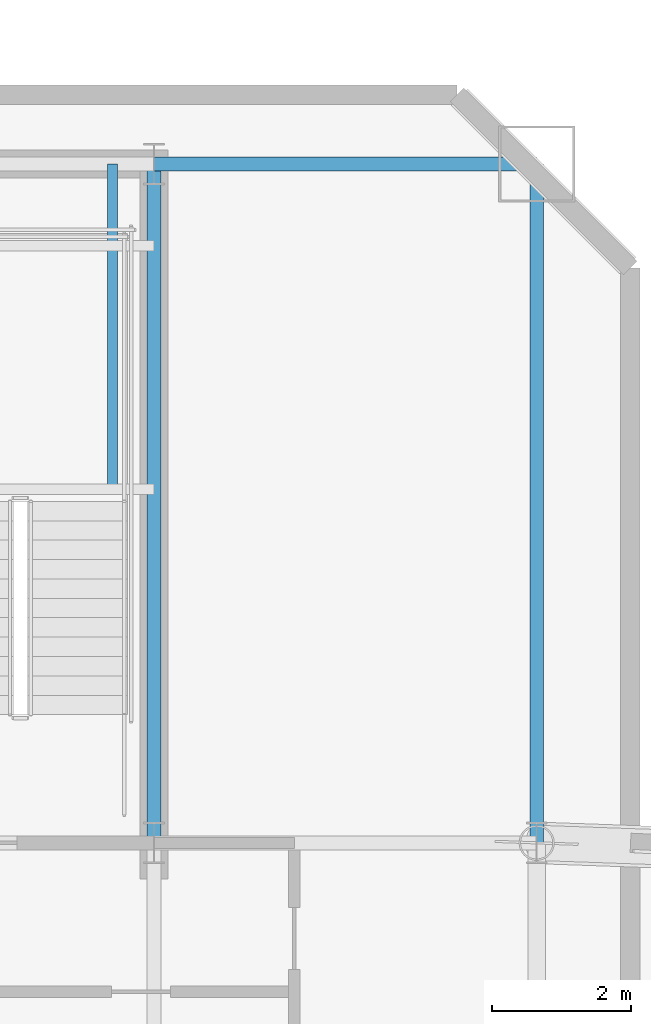
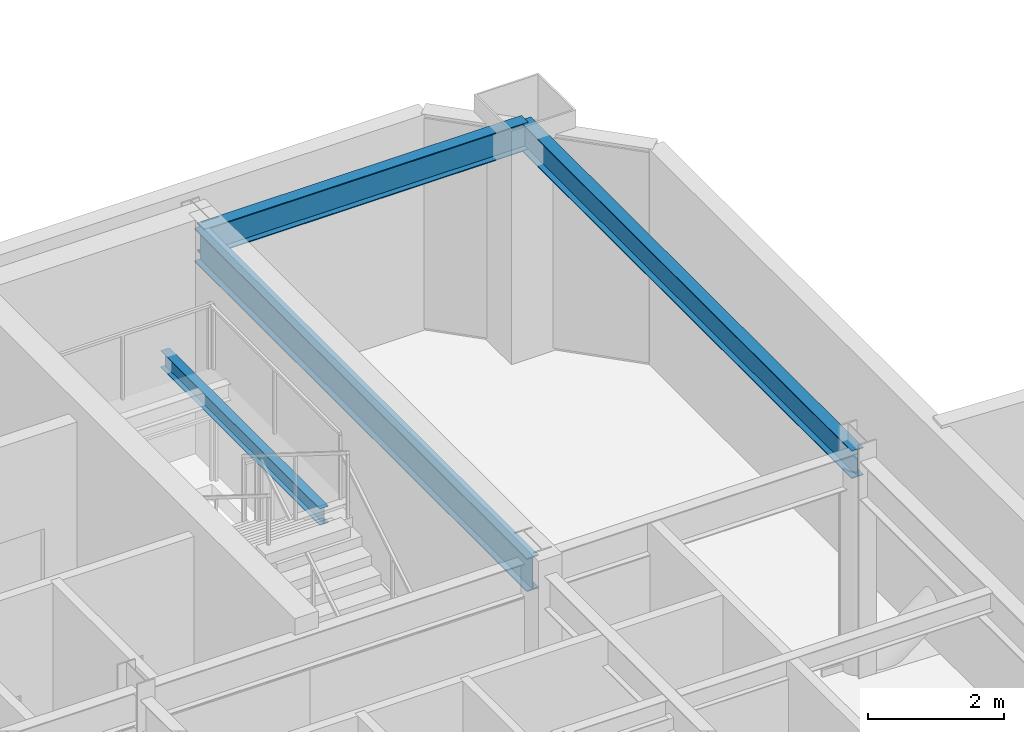
# One storey, part 8 of 23: 4 beams.
"""IFC4 building model written with IfcOpenShell, lengths in metres."""

from ifc_helpers import new_model, si_unit, direction, frame, origin, origin_2d, place, context, subcontext, project, spatial, i_section, extrude, material, material_profile, profile_set, type_object, element, save


model = new_model("IFC4")

# Units and contexts
model_context = context("Model", 3, precision=1e-05, world=origin(), true_north=direction((0.0, 1.0)))
body_context = subcontext(model_context, "Body", "Model", "MODEL_VIEW")
ifc_project = project(units=[si_unit("LENGTHUNIT", "METRE"), si_unit("AREAUNIT", "SQUARE_METRE"), si_unit("VOLUMEUNIT", "CUBIC_METRE"), si_unit("PLANEANGLEUNIT", "RADIAN"), si_unit("MASSUNIT", "GRAM", prefix="KILO")], contexts=[model_context])

# Site, building, storey
site_placement = place(None, origin())
site = spatial("IfcSite", under=ifc_project, at=site_placement, CompositionType="ELEMENT")
building_placement = place(site_placement, origin())
building = spatial("IfcBuilding", under=site, at=building_placement, Name="Haevon Station Towers", CompositionType="ELEMENT")
storey_placement = place(building_placement, frame((0.0, 0.0, 197.10009765625)))
storey = spatial("IfcBuildingStorey", under=building, at=storey_placement, Name="L54", CompositionType="ELEMENT", Elevation=197.10009765625)

# Beams
ifc_material = material(Name="Steel S355", Category="steel")
ifc_material_profile_1 = material_profile(ifc_material, i_section(OverallWidth=0.199951171875, OverallDepth=0.60009765625, WebThickness=0.010986328125, FlangeThickness=0.01708984375, at=origin_2d()), Name="H-600x200x11x17")
ifc_profile_set_1 = profile_set([ifc_material_profile_1], Name="Steel S355")
beam_type_1 = type_object("IfcBeamType", Name="BM-G600", PredefinedType="BEAM", material=ifc_profile_set_1)
beam_1_placement = place(storey_placement, frame((51.0, 38.199951171875, 3.599853515625), z_axis=(0.0, 1.0, 0.0), x_axis=(-1.0, 0.0, 0.0)))
element("IfcBeam", 1, at=beam_1_placement, inside=storey, type_object=beam_type_1, Name="BM-T1V-L54-06-03", PredefinedType="BEAM", context=body_context, shape_type="SweptSolid", body=[
    extrude(i_section(OverallWidth=0.199951171875, OverallDepth=0.60009765625, WebThickness=0.010986328125, FlangeThickness=0.01708984375, at=origin_2d()), origin(), (0.0, 0.0, 1.0), 9.800048828125),
])
ifc_material_profile_2 = material_profile(ifc_material, i_section(OverallWidth=0.14990234375, OverallDepth=0.300048828125, WebThickness=0.006591796875, FlangeThickness=0.009033203125, at=origin_2d()), Name="H-300x150x6.5x9")
ifc_profile_set_2 = profile_set([ifc_material_profile_2], Name="Steel S355")
beam_type_2 = type_object("IfcBeamType", Name="BM-LIN300", PredefinedType="LINTEL", material=ifc_profile_set_2)
beam_2_placement = place(storey_placement, frame((50.39990234375, 43.303955078125, 1.75), z_axis=(0.0, 1.0, 0.0), x_axis=(-1.0, 0.0, 0.0)))
element("IfcBeam", 2, at=beam_2_placement, inside=storey, type_object=beam_type_2, Name="BM-ST2L-L54-1-E", PredefinedType="LINTEL", context=body_context, shape_type="SweptSolid", body=[
    extrude(i_section(OverallWidth=0.14990234375, OverallDepth=0.300048828125, WebThickness=0.006591796875, FlangeThickness=0.009033203125, at=origin_2d()), origin(), (0.0, 0.0, 1.0), 4.696044921875),
])
ifc_material_profile_3 = material_profile(ifc_material, i_section(OverallWidth=0.199951171875, OverallDepth=0.5, WebThickness=0.010009765625, FlangeThickness=0.01611328125, at=origin_2d()), Name="H-500x200x10x16")
ifc_profile_set_3 = profile_set([ifc_material_profile_3], Name="Steel S355")
beam_type_3 = type_object("IfcBeamType", Name="BM-SP500", PredefinedType="SPANDREL", material=ifc_profile_set_3)
beam_3_placement = place(storey_placement, frame((51.0, 48.0, 3.64990234375), z_axis=(1.0, 0.0, 0.0), x_axis=(0.0, 1.0, 0.0)))
element("IfcBeam", 3, at=beam_3_placement, inside=storey, type_object=beam_type_3, Name="BM-T1U-L54-04-06", PredefinedType="SPANDREL", context=body_context, shape_type="SweptSolid", body=[
    extrude(i_section(OverallWidth=0.199951171875, OverallDepth=0.5, WebThickness=0.010009765625, FlangeThickness=0.01611328125, at=origin_2d()), origin(), (0.0, 0.0, 1.0), 5.52490234375),
])
beam_4_placement = place(storey_placement, frame((56.52490234375, 38.199951171875, 3.64990234375), z_axis=(0.0, 1.0, 0.0), x_axis=(-1.0, 0.0, 0.0)))
element("IfcBeam", 4, at=beam_4_placement, inside=storey, type_object=beam_type_3, Name="BM-T1V-L54-07-03", PredefinedType="SPANDREL", context=body_context, shape_type="SweptSolid", body=[
    extrude(i_section(OverallWidth=0.199951171875, OverallDepth=0.5, WebThickness=0.010009765625, FlangeThickness=0.01611328125, at=origin_2d()), origin(), (0.0, 0.0, 1.0), 9.800048828125),
])

save(model, "model.ifc")
